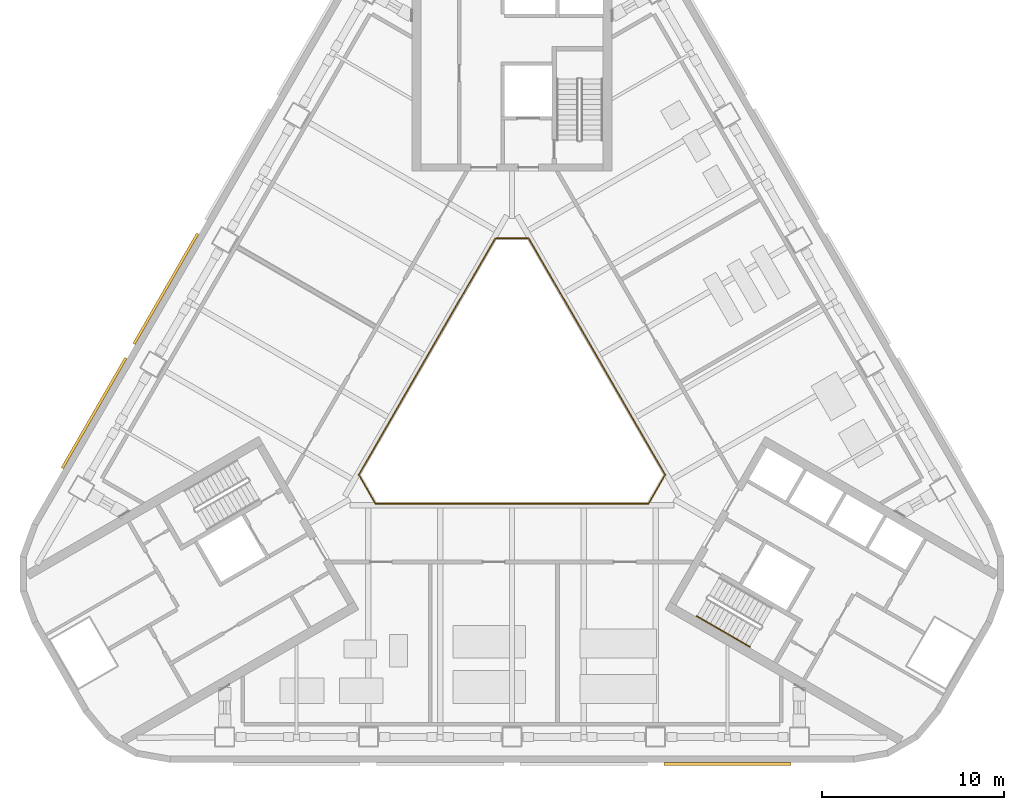
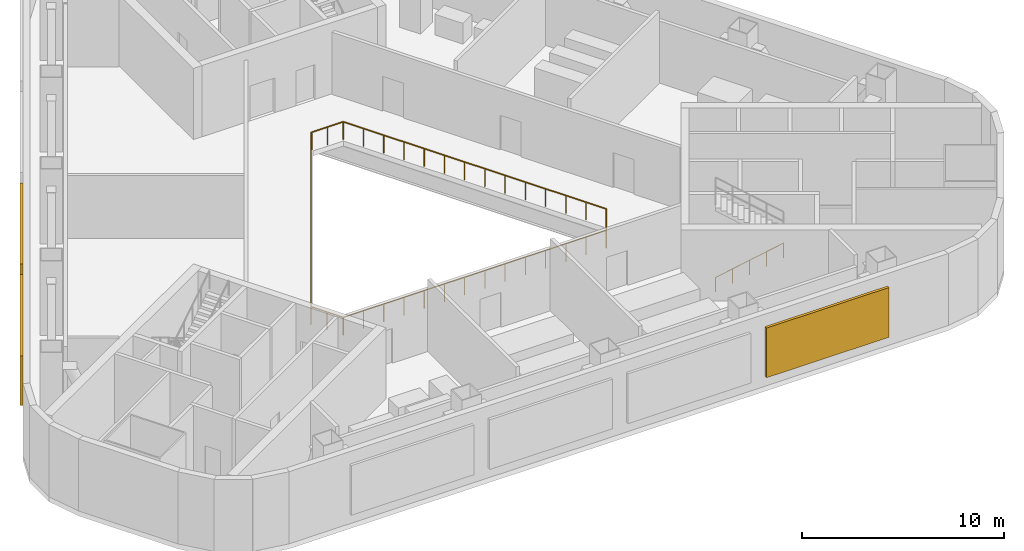
# One storey, part 11 of 14: 3 railings, 3 shading devices.
"""IFC4 building model written with IfcOpenShell, lengths in metres."""

import ifcopenshell
import ifcopenshell.guid

model = None  # the IFC model being written
_history = None  # IfcOwnerHistory: only IFC2X3 demands one
_inside = {}  # id of a spatial element -> (the spatial element, [elements in it])
_under = {}  # id of a project, library or spatial element -> (it, [spatial elements below it])
_declared = {}  # id of a project -> (the project, [libraries it declares])
_typed = {}  # id of a type object -> (the type object, [elements of that type])
_made_of = {}  # id of a material, layer set ... -> (it, [elements and type objects made of it])


def new_model(schema):
    """Start an empty IFC model of exactly this schema.

    Asked for "IFC4X3", IfcOpenShell would pick the latest addendum, in which some entities
    have other attributes; the version numbers below select the first issue.
    IFC2X3 requires an IfcOwnerHistory on every rooted entity: one is made here for all.
    """
    global model, _history
    if schema == "IFC4X3":
        model = ifcopenshell.file(schema_version=(4, 3, 0, 0))
    else:
        model = ifcopenshell.file(schema=schema)
    _inside.clear()
    _under.clear()
    _declared.clear()
    _typed.clear()
    _made_of.clear()
    _history = None
    if model.schema == "IFC2X3":
        org = make("IfcOrganization", Name="unknown")
        user = make(
            "IfcPersonAndOrganization",
            ThePerson=make("IfcPerson", FamilyName="unknown"),
            TheOrganization=org,
        )
        app = make(
            "IfcApplication",
            ApplicationDeveloper=org,
            Version="unknown",
            ApplicationFullName="unknown",
            ApplicationIdentifier="unknown",
        )
        _history = make(
            "IfcOwnerHistory",
            OwningUser=user,
            OwningApplication=app,
            ChangeAction="ADDED",
            CreationDate=0,
        )
    return model


def make(cls, **values):
    """One entity of the class cls with the attributes given. An attribute that is None is left unset."""
    return model.create_entity(
        cls, **{name: value for name, value in values.items() if value is not None}
    )


def rooted(cls, **values):
    """An entity with a GlobalId (a new one), such as an element, a storey or a relation."""
    return make(cls, GlobalId=ifcopenshell.guid.new(), OwnerHistory=_history, **values)


def si_unit(unit_type, name, prefix=None):
    """IfcSIUnit, for example si_unit("LENGTHUNIT", "METRE", prefix="MILLI")."""
    return make("IfcSIUnit", UnitType=unit_type, Prefix=prefix, Name=name)


def assignment(units):
    """IfcUnitAssignment: the units of a project."""
    return None if units is None else make("IfcUnitAssignment", Units=units)


def point(xyz):
    """IfcCartesianPoint."""
    return None if xyz is None else make("IfcCartesianPoint", Coordinates=xyz)


def direction(xyz):
    """IfcDirection."""
    return None if xyz is None else make("IfcDirection", DirectionRatios=xyz)


def frame(location, z_axis=None, x_axis=None):
    """IfcAxis2Placement3D, a coordinate frame: its origin and axes. An axis left out is left unset."""
    return make(
        "IfcAxis2Placement3D",
        Location=point(location),
        Axis=direction(z_axis),
        RefDirection=direction(x_axis),
    )


def frame_2d(location, x_axis=None):
    """IfcAxis2Placement2D, a coordinate frame in the plane: its origin and x axis."""
    return make(
        "IfcAxis2Placement2D", Location=point(location), RefDirection=direction(x_axis)
    )


def origin():
    """The frame at (0, 0, 0) with its axes left unset."""
    return frame((0.0, 0.0, 0.0))


def origin_2d():
    """The frame at (0, 0) in the plane with its x axis left unset."""
    return frame_2d((0.0, 0.0))


def place(relative_to, where):
    """IfcLocalPlacement: puts the frame where relative to a parent placement (None: the world)."""
    return make(
        "IfcLocalPlacement", PlacementRelTo=relative_to, RelativePlacement=where
    )


def context(
    kind, dimensions, precision=None, world=None, true_north=None, identifier=None
):
    """IfcGeometricRepresentationContext, for example the 3D "Model" context."""
    return make(
        "IfcGeometricRepresentationContext",
        ContextIdentifier=identifier,
        ContextType=kind,
        CoordinateSpaceDimension=dimensions,
        Precision=precision,
        WorldCoordinateSystem=world,
        TrueNorth=true_north,
    )


def subcontext(parent, identifier, kind, view, scale=None):
    """IfcGeometricRepresentationSubContext, for example "Body" below "Model"."""
    return make(
        "IfcGeometricRepresentationSubContext",
        ContextIdentifier=identifier,
        ContextType=kind,
        ParentContext=parent,
        TargetScale=scale,
        TargetView=view,
    )


def project(units=None, contexts=None):
    """IfcProject with its units and contexts."""
    return rooted(
        "IfcProject",
        Name="project",
        RepresentationContexts=contexts,
        UnitsInContext=assignment(units),
    )


def spatial(cls, under=None, at=None, **own):
    """A site, building, storey or space (cls), placed at a placement, below another one or the project."""
    s = rooted(cls, ObjectPlacement=at, **own)
    if under is not None:
        _under.setdefault(under.id(), (under, []))[1].append(s)
    return s


def profile(cls, at=None, kind="AREA", **sizes):
    """A parametric profile (cls). Its sizes go by their IFC names, for example OverallWidth=200.0."""
    return make(cls, ProfileType=kind, Position=at, **sizes)


def rectangle(**sizes):
    """IfcRectangleProfileDef."""
    return profile("IfcRectangleProfileDef", **sizes)


def circle(**sizes):
    """IfcCircleProfileDef."""
    return profile("IfcCircleProfileDef", **sizes)


def extrude(swept, where, along, depth):
    """IfcExtrudedAreaSolid: the profile swept, set in the frame where, extruded along a direction by depth."""
    return make(
        "IfcExtrudedAreaSolid",
        SweptArea=swept,
        Position=where,
        ExtrudedDirection=direction(along),
        Depth=depth,
    )


def shape(context_of_items, identifier, shape_type, items):
    """IfcShapeRepresentation: the items that make up one representation, for example the "Body"."""
    return make(
        "IfcShapeRepresentation",
        ContextOfItems=context_of_items,
        RepresentationIdentifier=identifier,
        RepresentationType=shape_type,
        Items=items,
    )


def material(Name=None, Category=None):
    """IfcMaterial."""
    return make("IfcMaterial", Name=Name, Category=Category)


def made_of(thing, what):
    """Note that an element or type object is made of a material, layer set ...; save() writes the relation."""
    if what is not None:
        _made_of.setdefault(what.id(), (what, []))[1].append(thing)
    return thing


def type_object(cls, material=None, **own):
    """A type object (cls), such as IfcWallType, which elements share."""
    return made_of(rooted(cls, **own), material)


def element(
    cls,
    number,
    at=None,
    inside=None,
    cuts=None,
    type_object=None,
    material=None,
    context=None,
    identifier="Body",
    shape_type=None,
    held_by="IfcProductDefinitionShape",
    body=None,
    shapes=None,
    **own,
):
    """One element of the class cls, such as IfcWall. Its Tag is "e" and its number.

    at: its placement. inside: the storey or other place that contains it. cuts: it is an
    opening in that element (IfcRelVoidsElement). A single representation is given by context,
    identifier, shape_type and body (its items); several are given by shapes. held_by: the class
    of the entity that holds the representations. save() writes the other relations.
    """
    e = rooted(cls, Tag="e%d" % number, ObjectPlacement=at, **own)
    if body is not None:
        shapes = [shape(context, identifier, shape_type, body)]
    if shapes is not None:
        e.Representation = make(held_by, Representations=shapes)
    if inside is not None:
        _inside.setdefault(inside.id(), (inside, []))[1].append(e)
    if cuts is not None:
        rooted(
            "IfcRelVoidsElement", RelatingBuildingElement=cuts, RelatedOpeningElement=e
        )
    if type_object is not None:
        _typed.setdefault(type_object.id(), (type_object, []))[1].append(e)
    return made_of(e, material)


def aggregate(whole, parts):
    """IfcRelAggregates: a whole, such as a stair, and the parts it consists of."""
    return rooted("IfcRelAggregates", RelatingObject=whole, RelatedObjects=parts)


def save(model, path):
    """Write the relations noted so far, then the file.

    IfcRelAggregates (storeys below a building ...), IfcRelContainedInSpatialStructure (elements
    in a storey), IfcRelDefinesByType, IfcRelAssociatesMaterial and IfcRelDeclares: one each for
    every whole, place, type object, material and project.
    """
    for whole, parts in _under.values():
        aggregate(whole, parts)
    for where, things in _inside.values():
        rooted(
            "IfcRelContainedInSpatialStructure",
            RelatedElements=things,
            RelatingStructure=where,
        )
    for kind, things in _typed.values():
        rooted("IfcRelDefinesByType", RelatedObjects=things, RelatingType=kind)
    for what, things in _made_of.values():
        rooted("IfcRelAssociatesMaterial", RelatedObjects=things, RelatingMaterial=what)
    for by, libraries in _declared.values():
        rooted("IfcRelDeclares", RelatingContext=by, RelatedDefinitions=libraries)
    model.write(path)


model = new_model("IFC4")

# Units and contexts
model_context = context("Model", 3, precision=1e-05, world=origin(), true_north=direction((0.0, 1.0)))
body_context = subcontext(model_context, "Body", "Model", "MODEL_VIEW")
ifc_project = project(units=[si_unit("LENGTHUNIT", "METRE"), si_unit("AREAUNIT", "SQUARE_METRE"), si_unit("VOLUMEUNIT", "CUBIC_METRE"), si_unit("PLANEANGLEUNIT", "RADIAN"), si_unit("MASSUNIT", "GRAM", prefix="KILO")], contexts=[model_context])

# Site, building, storey
site_placement = place(None, origin())
site = spatial("IfcSite", under=ifc_project, at=site_placement, CompositionType="ELEMENT")
building_placement = place(site_placement, origin())
building = spatial("IfcBuilding", under=site, at=building_placement, Name="Apuvela Tower Hotel", CompositionType="ELEMENT")
storey_placement = place(building_placement, frame((0.0, 0.0, 42.0)))
storey = spatial("IfcBuildingStorey", under=building, at=storey_placement, Name="L07 Plant", CompositionType="ELEMENT", Elevation=42.0)

# Railings
ifc_material_1 = material(Name="Stainless steel 316 handrail", Category="steel")
railing_type_1 = type_object("IfcRailingType", Name="COR-HANDRAIL-900", PredefinedType="HANDRAIL", material=ifc_material_1)
railing_1_placement = place(storey_placement, frame((10.1689453125, -11.5869140625, 0.173095703125)))
element("IfcRailing", 1, at=railing_1_placement, inside=storey, type_object=railing_type_1, Name="L07 Plant ST3 stair handrail 1", PredefinedType="HANDRAIL", context=body_context, shape_type="SweptSolid", body=[
    extrude(circle(Radius=0.02392578125, at=origin_2d()), frame((0.0, 0.0, 0.8759765625), z_axis=(0.736667954249, -0.425288379326, 0.525785240943), x_axis=(0.499976138585, 0.866039179741, 0.0)), (0.0, 0.0, 1.0), 3.9501953125),
    extrude(rectangle(XDim=0.0419921875, YDim=0.0419921875, at=origin_2d()), origin(), (0.0, 0.0, 1.0), 0.851806640625),
    extrude(rectangle(XDim=0.0419921875, YDim=0.0419921875, at=origin_2d()), frame((0.7275390625, -0.419921875, 0.519287109375)), (0.0, 0.0, 1.0), 0.851806640625),
    extrude(rectangle(XDim=0.0419921875, YDim=0.0419921875, at=origin_2d()), frame((1.455078125, -0.83984375, 1.03857421875)), (0.0, 0.0, 1.0), 0.851806640625),
    extrude(rectangle(XDim=0.0419921875, YDim=0.0419921875, at=origin_2d()), frame((2.182373046875, -1.260009765625, 1.5576171875)), (0.0, 0.0, 1.0), 0.851806640625),
    extrude(rectangle(XDim=0.0419921875, YDim=0.0419921875, at=origin_2d()), frame((2.909912109375, -1.679931640625, 2.076904296875)), (0.0, 0.0, 1.0), 0.851806640625),
])
ifc_material_2 = material(Name="Stainless steel 316 rail with laminated glass infill", Category="steel")
railing_type_2 = type_object("IfcRailingType", Name="ENV-GUARD-1100", PredefinedType="GUARDRAIL", material=ifc_material_2)
railing_2_placement = place(storey_placement, frame((-0.923828125, 9.199951171875, 0.0)))
element("IfcRailing", 2, at=railing_2_placement, inside=storey, type_object=railing_type_2, Name="Atrium void guard A L07 Plant", PredefinedType="GUARDRAIL", context=body_context, shape_type="SweptSolid", body=[
    extrude(rectangle(XDim=0.050048828125, YDim=0.050048828125, at=origin_2d()), frame((0.0, 0.0, 1.0751953125), z_axis=(-0.499990886379, -0.866030665472, 0.0), x_axis=(0.866030665472, -0.499990886379, 0.0)), (0.0, 0.0, 1.0), 15.010986328125),
    extrude(rectangle(XDim=0.050048828125, YDim=0.050048828125, at=origin_2d()), frame((-7.50537109375, -13.0, 1.0751953125), z_axis=(0.499962699187, -0.866046938348, 0.0), x_axis=(0.866046938348, 0.499962699187, 0.0)), (0.0, 0.0, 1.0), 1.847412109375),
    extrude(rectangle(XDim=0.050048828125, YDim=0.050048828125, at=origin_2d()), frame((-6.581787109375, -14.599853515625, 1.0751953125), z_axis=(1.0, 0.0, 0.0), x_axis=(0.0, 1.0, 0.0)), (0.0, 0.0, 1.0), 15.01123046875),
    extrude(rectangle(XDim=0.0400390625, YDim=0.0400390625, at=origin_2d()), origin(), (0.0, 0.0, 1.0), 1.050048828125),
    extrude(rectangle(XDim=0.0400390625, YDim=0.0400390625, at=origin_2d()), frame((-0.577392578125, -1.0, 0.0)), (0.0, 0.0, 1.0), 1.050048828125),
    extrude(rectangle(XDim=0.0400390625, YDim=0.0400390625, at=origin_2d()), frame((-1.15478515625, -2.0, 0.0)), (0.0, 0.0, 1.0), 1.050048828125),
    extrude(rectangle(XDim=0.0400390625, YDim=0.0400390625, at=origin_2d()), frame((-1.73193359375, -3.0, 0.0)), (0.0, 0.0, 1.0), 1.050048828125),
    extrude(rectangle(XDim=0.0400390625, YDim=0.0400390625, at=origin_2d()), frame((-2.309326171875, -4.0, 0.0)), (0.0, 0.0, 1.0), 1.050048828125),
    extrude(rectangle(XDim=0.0400390625, YDim=0.0400390625, at=origin_2d()), frame((-2.88671875, -5.0, 0.0)), (0.0, 0.0, 1.0), 1.050048828125),
    extrude(rectangle(XDim=0.0400390625, YDim=0.0400390625, at=origin_2d()), frame((-3.464111328125, -6.0, 0.0)), (0.0, 0.0, 1.0), 1.050048828125),
    extrude(rectangle(XDim=0.0400390625, YDim=0.0400390625, at=origin_2d()), frame((-4.041259765625, -7.0, 0.0)), (0.0, 0.0, 1.0), 1.050048828125),
    extrude(rectangle(XDim=0.0400390625, YDim=0.0400390625, at=origin_2d()), frame((-4.61865234375, -8.0, 0.0)), (0.0, 0.0, 1.0), 1.050048828125),
    extrude(rectangle(XDim=0.0400390625, YDim=0.0400390625, at=origin_2d()), frame((-5.196044921875, -9.0, 0.0)), (0.0, 0.0, 1.0), 1.050048828125),
    extrude(rectangle(XDim=0.0400390625, YDim=0.0400390625, at=origin_2d()), frame((-5.7734375, -10.0, 0.0)), (0.0, 0.0, 1.0), 1.050048828125),
    extrude(rectangle(XDim=0.0400390625, YDim=0.0400390625, at=origin_2d()), frame((-6.3505859375, -11.0, 0.0)), (0.0, 0.0, 1.0), 1.050048828125),
    extrude(rectangle(XDim=0.0400390625, YDim=0.0400390625, at=origin_2d()), frame((-6.927978515625, -12.0, 0.0)), (0.0, 0.0, 1.0), 1.050048828125),
    extrude(rectangle(XDim=0.0400390625, YDim=0.0400390625, at=origin_2d()), frame((-7.50537109375, -13.0, 0.0)), (0.0, 0.0, 1.0), 1.050048828125),
    extrude(rectangle(XDim=0.0400390625, YDim=0.0400390625, at=origin_2d()), frame((-7.04345703125, -13.7998046875, 0.0)), (0.0, 0.0, 1.0), 1.050048828125),
    extrude(rectangle(XDim=0.0400390625, YDim=0.0400390625, at=origin_2d()), frame((-6.581787109375, -14.599853515625, 0.0)), (0.0, 0.0, 1.0), 1.050048828125),
    extrude(rectangle(XDim=0.0400390625, YDim=0.0400390625, at=origin_2d()), frame((-5.427001953125, -14.599853515625, 0.0)), (0.0, 0.0, 1.0), 1.050048828125),
    extrude(rectangle(XDim=0.0400390625, YDim=0.0400390625, at=origin_2d()), frame((-4.2724609375, -14.599853515625, 0.0)), (0.0, 0.0, 1.0), 1.050048828125),
    extrude(rectangle(XDim=0.0400390625, YDim=0.0400390625, at=origin_2d()), frame((-3.11767578125, -14.599853515625, 0.0)), (0.0, 0.0, 1.0), 1.050048828125),
    extrude(rectangle(XDim=0.0400390625, YDim=0.0400390625, at=origin_2d()), frame((-1.962890625, -14.599853515625, 0.0)), (0.0, 0.0, 1.0), 1.050048828125),
    extrude(rectangle(XDim=0.0400390625, YDim=0.0400390625, at=origin_2d()), frame((-0.808349609375, -14.599853515625, 0.0)), (0.0, 0.0, 1.0), 1.050048828125),
    extrude(rectangle(XDim=0.0400390625, YDim=0.0400390625, at=origin_2d()), frame((0.346435546875, -14.599853515625, 0.0)), (0.0, 0.0, 1.0), 1.050048828125),
    extrude(rectangle(XDim=0.0400390625, YDim=0.0400390625, at=origin_2d()), frame((1.501220703125, -14.599853515625, 0.0)), (0.0, 0.0, 1.0), 1.050048828125),
    extrude(rectangle(XDim=0.0400390625, YDim=0.0400390625, at=origin_2d()), frame((2.656005859375, -14.599853515625, 0.0)), (0.0, 0.0, 1.0), 1.050048828125),
    extrude(rectangle(XDim=0.0400390625, YDim=0.0400390625, at=origin_2d()), frame((3.810546875, -14.599853515625, 0.0)), (0.0, 0.0, 1.0), 1.050048828125),
    extrude(rectangle(XDim=0.0400390625, YDim=0.0400390625, at=origin_2d()), frame((4.96533203125, -14.599853515625, 0.0)), (0.0, 0.0, 1.0), 1.050048828125),
    extrude(rectangle(XDim=0.0400390625, YDim=0.0400390625, at=origin_2d()), frame((6.1201171875, -14.599853515625, 0.0)), (0.0, 0.0, 1.0), 1.050048828125),
    extrude(rectangle(XDim=0.0400390625, YDim=0.0400390625, at=origin_2d()), frame((7.274658203125, -14.599853515625, 0.0)), (0.0, 0.0, 1.0), 1.050048828125),
    extrude(rectangle(XDim=0.0400390625, YDim=0.0400390625, at=origin_2d()), frame((8.429443359375, -14.599853515625, 0.0)), (0.0, 0.0, 1.0), 1.050048828125),
])
railing_3_placement = place(storey_placement, frame((7.53564453125, -5.347900390625, 0.0)))
element("IfcRailing", 3, at=railing_3_placement, inside=storey, type_object=railing_type_2, Name="Atrium void guard B L07 Plant", PredefinedType="GUARDRAIL", context=body_context, shape_type="SweptSolid", body=[
    extrude(rectangle(XDim=0.050048828125, YDim=0.050048828125, at=origin_2d()), frame((0.0, 0.0, 1.0751953125), z_axis=(0.499958946799, 0.866049104564, 0.0), x_axis=(-0.866049104564, 0.499958946799, 0.0)), (0.0, 0.0, 1.0), 1.787353515625),
    extrude(rectangle(XDim=0.050048828125, YDim=0.050048828125, at=origin_2d()), frame((0.8935546875, 1.5478515625, 1.0751953125), z_axis=(-0.499990886379, 0.866030665472, 0.0), x_axis=(-0.866030665472, -0.499990886379, 0.0)), (0.0, 0.0, 1.0), 15.010986328125),
    extrude(rectangle(XDim=0.050048828125, YDim=0.050048828125, at=origin_2d()), frame((-6.61181640625, 14.5478515625, 1.0751953125), z_axis=(-1.0, 0.0, 0.0), x_axis=(0.0, -1.0, 0.0)), (0.0, 0.0, 1.0), 1.78759765625),
    extrude(rectangle(XDim=0.0400390625, YDim=0.0400390625, at=origin_2d()), origin(), (0.0, 0.0, 1.0), 1.050048828125),
    extrude(rectangle(XDim=0.0400390625, YDim=0.0400390625, at=origin_2d()), frame((0.44677734375, 0.77392578125, 0.0)), (0.0, 0.0, 1.0), 1.050048828125),
    extrude(rectangle(XDim=0.0400390625, YDim=0.0400390625, at=origin_2d()), frame((0.8935546875, 1.5478515625, 0.0)), (0.0, 0.0, 1.0), 1.050048828125),
    extrude(rectangle(XDim=0.0400390625, YDim=0.0400390625, at=origin_2d()), frame((0.316162109375, 2.5478515625, 0.0)), (0.0, 0.0, 1.0), 1.050048828125),
    extrude(rectangle(XDim=0.0400390625, YDim=0.0400390625, at=origin_2d()), frame((-0.26123046875, 3.5478515625, 0.0)), (0.0, 0.0, 1.0), 1.050048828125),
    extrude(rectangle(XDim=0.0400390625, YDim=0.0400390625, at=origin_2d()), frame((-0.83837890625, 4.5478515625, 0.0)), (0.0, 0.0, 1.0), 1.050048828125),
    extrude(rectangle(XDim=0.0400390625, YDim=0.0400390625, at=origin_2d()), frame((-1.415771484375, 5.5478515625, 0.0)), (0.0, 0.0, 1.0), 1.050048828125),
    extrude(rectangle(XDim=0.0400390625, YDim=0.0400390625, at=origin_2d()), frame((-1.9931640625, 6.5478515625, 0.0)), (0.0, 0.0, 1.0), 1.050048828125),
    extrude(rectangle(XDim=0.0400390625, YDim=0.0400390625, at=origin_2d()), frame((-2.570556640625, 7.5478515625, 0.0)), (0.0, 0.0, 1.0), 1.050048828125),
    extrude(rectangle(XDim=0.0400390625, YDim=0.0400390625, at=origin_2d()), frame((-3.147705078125, 8.5478515625, 0.0)), (0.0, 0.0, 1.0), 1.050048828125),
    extrude(rectangle(XDim=0.0400390625, YDim=0.0400390625, at=origin_2d()), frame((-3.72509765625, 9.5478515625, 0.0)), (0.0, 0.0, 1.0), 1.050048828125),
    extrude(rectangle(XDim=0.0400390625, YDim=0.0400390625, at=origin_2d()), frame((-4.302490234375, 10.5478515625, 0.0)), (0.0, 0.0, 1.0), 1.050048828125),
    extrude(rectangle(XDim=0.0400390625, YDim=0.0400390625, at=origin_2d()), frame((-4.8798828125, 11.5478515625, 0.0)), (0.0, 0.0, 1.0), 1.050048828125),
    extrude(rectangle(XDim=0.0400390625, YDim=0.0400390625, at=origin_2d()), frame((-5.45703125, 12.5478515625, 0.0)), (0.0, 0.0, 1.0), 1.050048828125),
    extrude(rectangle(XDim=0.0400390625, YDim=0.0400390625, at=origin_2d()), frame((-6.034423828125, 13.5478515625, 0.0)), (0.0, 0.0, 1.0), 1.050048828125),
    extrude(rectangle(XDim=0.0400390625, YDim=0.0400390625, at=origin_2d()), frame((-6.61181640625, 14.5478515625, 0.0)), (0.0, 0.0, 1.0), 1.050048828125),
    extrude(rectangle(XDim=0.0400390625, YDim=0.0400390625, at=origin_2d()), frame((-7.505615234375, 14.5478515625, 0.0)), (0.0, 0.0, 1.0), 1.050048828125),
    extrude(rectangle(XDim=0.0400390625, YDim=0.0400390625, at=origin_2d()), frame((-8.3994140625, 14.5478515625, 0.0)), (0.0, 0.0, 1.0), 1.050048828125),
])

# Shading devices
ifc_material_3 = material(Name="Aluminium 6063-T6, black anodised louvre blades", Category="aluminium")
shading_device_type = type_object("IfcShadingDeviceType", Name="ENV-LOUVRE-SCREEN", PredefinedType="USERDEFINED", material=ifc_material_3)
for number, where, z_axis, x_axis, name in (
    (4, (11.85009765625, -19.705078125, 0.60009765625), (0.0, 0.0, 1.0), (1.0, 0.0, 0.0), "Plant louvre S4"),
    (5, (-19.0400390625, 6.431640625, 0.60009765625), (0.0, 0.0, 1.0), (-0.5, -0.866025403784, 0.0), "Plant louvre NW11"),
    (6, (-22.989990234375, -0.409912109375, 0.60009765625), (0.0, 0.0, 1.0), (-0.5, -0.866025403784, 0.0), "Plant louvre NW12"),
):
    element("IfcShadingDevice", number, at=place(storey_placement, frame(where, z_axis=z_axis, x_axis=x_axis)), inside=storey, type_object=shading_device_type, Name=name, ObjectType="LOUVRE", PredefinedType="USERDEFINED", context=body_context, shape_type="SweptSolid", body=[
        extrude(rectangle(XDim=7.0, YDim=0.14990234375, at=origin_2d()), origin(), (0.0, 0.0, 1.0), 3.0),
    ])

save(model, "model.ifc")
